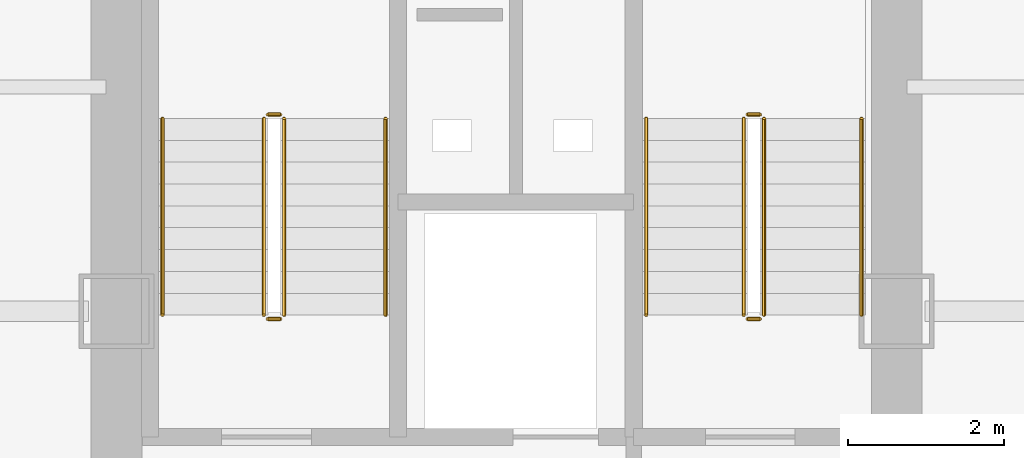
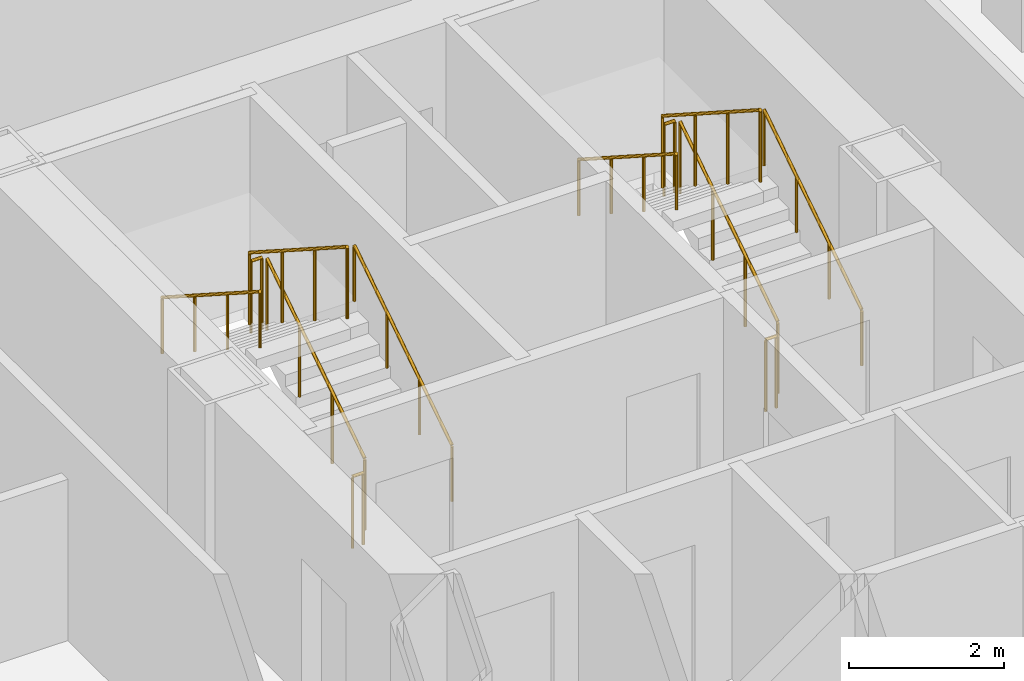
# One storey, part 20 of 21: 12 railings.
"""IFC4 building model written with IfcOpenShell, lengths in metres."""

from ifc_helpers import new_model, si_unit, direction, frame, origin, origin_2d, place, context, subcontext, project, spatial, circle, extrude, material, type_object, element, save


model = new_model("IFC4")

# Units and contexts
model_context = context("Model", 3, precision=1e-05, world=origin(), true_north=direction((0.0, 1.0)))
body_context = subcontext(model_context, "Body", "Model", "MODEL_VIEW")
ifc_project = project(units=[si_unit("LENGTHUNIT", "METRE"), si_unit("AREAUNIT", "SQUARE_METRE"), si_unit("VOLUMEUNIT", "CUBIC_METRE"), si_unit("PLANEANGLEUNIT", "RADIAN"), si_unit("MASSUNIT", "GRAM", prefix="KILO")], contexts=[model_context])

# Site, building, storey
site_placement = place(None, origin())
site = spatial("IfcSite", under=ifc_project, at=site_placement, CompositionType="ELEMENT")
building_placement = place(site_placement, origin())
building = spatial("IfcBuilding", under=site, at=building_placement, Name="Kolveth Station Tower", CompositionType="ELEMENT")
storey_placement = place(building_placement, frame((0.0, 0.0, 62.10009765625)))
storey = spatial("IfcBuildingStorey", under=building, at=storey_placement, Name="L16", CompositionType="ELEMENT", Elevation=62.10009765625)

# Railings
ifc_material_1 = material(Name="Painted Steel S355 balustrade", Category="steel")
railing_type_1 = type_object("IfcRailingType", Name="Guard_GR2", PredefinedType="BALUSTRADE", material=ifc_material_1)
railing_1_placement = place(storey_placement, frame((20.64990234375, 22.949951171875, 0.179931640625)))
element("IfcRailing", 1, at=railing_1_placement, inside=storey, type_object=railing_type_1, Name="L16 ST1 stair guard 1", PredefinedType="BALUSTRADE", context=body_context, shape_type="SweptSolid", body=[
    extrude(circle(Radius=0.02392578125, at=origin_2d()), frame((0.0, 0.0, 1.1259765625), z_axis=(0.0, 0.841199657755, 0.540724639528), x_axis=(-1.0, 0.0, 0.0)), (0.0, 0.0, 1.0), 2.995849609375),
    extrude(circle(Radius=0.02099609375, at=origin_2d()), origin(), (0.0, 0.0, 1.0), 1.101806640625),
    extrude(circle(Radius=0.02099609375, at=origin_2d()), frame((0.0, 0.840087890625, 0.5400390625)), (0.0, 0.0, 1.0), 1.101806640625),
    extrude(circle(Radius=0.02099609375, at=origin_2d()), frame((0.0, 1.679931640625, 1.079833984375)), (0.0, 0.0, 1.0), 1.101806640625),
    extrude(circle(Radius=0.02099609375, at=origin_2d()), frame((0.0, 2.52001953125, 1.619873046875)), (0.0, 0.0, 1.0), 1.101806640625),
])
railing_2_placement = place(storey_placement, frame((20.60009765625, 25.52001953125, 1.7998046875)))
element("IfcRailing", 2, at=railing_2_placement, inside=storey, type_object=railing_type_1, Name="L16 ST1 stair guard 2", PredefinedType="BALUSTRADE", context=body_context, shape_type="SweptSolid", body=[
    extrude(circle(Radius=0.02392578125, at=origin_2d()), frame((0.0, 0.0, 1.1259765625), z_axis=(-1.0, 0.0, 0.0), x_axis=(0.0, -1.0, 0.0)), (0.0, 0.0, 1.0), 0.16015625),
    extrude(circle(Radius=0.02099609375, at=origin_2d()), origin(), (0.0, 0.0, 1.0), 1.101806640625),
    extrude(circle(Radius=0.02099609375, at=origin_2d()), frame((-0.16015625, 0.0, 0.0)), (0.0, 0.0, 1.0), 1.101806640625),
])
railing_3_placement = place(storey_placement, frame((20.389892578125, 25.469970703125, 1.97998046875)))
element("IfcRailing", 3, at=railing_3_placement, inside=storey, type_object=railing_type_1, Name="L16 ST1 stair guard 3", PredefinedType="BALUSTRADE", context=body_context, shape_type="SweptSolid", body=[
    extrude(circle(Radius=0.02392578125, at=origin_2d()), frame((0.0, 0.0, 1.1259765625), z_axis=(0.0, -0.841199657755, 0.540724639528), x_axis=(1.0, 0.0, 0.0)), (0.0, 0.0, 1.0), 2.995849609375),
    extrude(circle(Radius=0.02099609375, at=origin_2d()), origin(), (0.0, 0.0, 1.0), 1.101806640625),
    extrude(circle(Radius=0.02099609375, at=origin_2d()), frame((0.0, -0.840087890625, 0.5400390625)), (0.0, 0.0, 1.0), 1.101806640625),
    extrude(circle(Radius=0.02099609375, at=origin_2d()), frame((0.0, -1.679931640625, 1.079833984375)), (0.0, 0.0, 1.0), 1.101806640625),
    extrude(circle(Radius=0.02099609375, at=origin_2d()), frame((0.0, -2.52001953125, 1.619873046875)), (0.0, 0.0, 1.0), 1.101806640625),
])
railing_4_placement = place(storey_placement, frame((20.60009765625, 22.89990234375, 0.0)))
element("IfcRailing", 4, at=railing_4_placement, inside=storey, type_object=railing_type_1, Name="L16 ST1 stair guard 4", PredefinedType="BALUSTRADE", context=body_context, shape_type="SweptSolid", body=[
    extrude(circle(Radius=0.02392578125, at=origin_2d()), frame((0.0, 0.0, 1.1259765625), z_axis=(-1.0, 0.0, 0.0), x_axis=(0.0, -1.0, 0.0)), (0.0, 0.0, 1.0), 0.16015625),
    extrude(circle(Radius=0.02099609375, at=origin_2d()), origin(), (0.0, 0.0, 1.0), 1.101806640625),
    extrude(circle(Radius=0.02099609375, at=origin_2d()), frame((-0.16015625, 0.0, 0.0)), (0.0, 0.0, 1.0), 1.101806640625),
])
railing_5_placement = place(storey_placement, frame((26.800048828125, 22.949951171875, 0.179931640625)))
element("IfcRailing", 5, at=railing_5_placement, inside=storey, type_object=railing_type_1, Name="L16 ST2 stair guard 1", PredefinedType="BALUSTRADE", context=body_context, shape_type="SweptSolid", body=[
    extrude(circle(Radius=0.02392578125, at=origin_2d()), frame((0.0, 0.0, 1.1259765625), z_axis=(0.0, 0.841199657755, 0.540724639528), x_axis=(-1.0, 0.0, 0.0)), (0.0, 0.0, 1.0), 2.995849609375),
    extrude(circle(Radius=0.02099609375, at=origin_2d()), origin(), (0.0, 0.0, 1.0), 1.101806640625),
    extrude(circle(Radius=0.02099609375, at=origin_2d()), frame((0.0, 0.840087890625, 0.5400390625)), (0.0, 0.0, 1.0), 1.101806640625),
    extrude(circle(Radius=0.02099609375, at=origin_2d()), frame((0.0, 1.679931640625, 1.079833984375)), (0.0, 0.0, 1.0), 1.101806640625),
    extrude(circle(Radius=0.02099609375, at=origin_2d()), frame((0.0, 2.52001953125, 1.619873046875)), (0.0, 0.0, 1.0), 1.101806640625),
])
railing_6_placement = place(storey_placement, frame((26.75, 25.52001953125, 1.7998046875)))
element("IfcRailing", 6, at=railing_6_placement, inside=storey, type_object=railing_type_1, Name="L16 ST2 stair guard 2", PredefinedType="BALUSTRADE", context=body_context, shape_type="SweptSolid", body=[
    extrude(circle(Radius=0.02392578125, at=origin_2d()), frame((0.0, 0.0, 1.1259765625), z_axis=(-1.0, 0.0, 0.0), x_axis=(0.0, -1.0, 0.0)), (0.0, 0.0, 1.0), 0.159912109375),
    extrude(circle(Radius=0.02099609375, at=origin_2d()), origin(), (0.0, 0.0, 1.0), 1.101806640625),
    extrude(circle(Radius=0.02099609375, at=origin_2d()), frame((-0.159912109375, 0.0, 0.0)), (0.0, 0.0, 1.0), 1.101806640625),
])
railing_7_placement = place(storey_placement, frame((26.5400390625, 25.469970703125, 1.97998046875)))
element("IfcRailing", 7, at=railing_7_placement, inside=storey, type_object=railing_type_1, Name="L16 ST2 stair guard 3", PredefinedType="BALUSTRADE", context=body_context, shape_type="SweptSolid", body=[
    extrude(circle(Radius=0.02392578125, at=origin_2d()), frame((0.0, 0.0, 1.1259765625), z_axis=(0.0, -0.841199657755, 0.540724639528), x_axis=(1.0, 0.0, 0.0)), (0.0, 0.0, 1.0), 2.995849609375),
    extrude(circle(Radius=0.02099609375, at=origin_2d()), origin(), (0.0, 0.0, 1.0), 1.101806640625),
    extrude(circle(Radius=0.02099609375, at=origin_2d()), frame((0.0, -0.840087890625, 0.5400390625)), (0.0, 0.0, 1.0), 1.101806640625),
    extrude(circle(Radius=0.02099609375, at=origin_2d()), frame((0.0, -1.679931640625, 1.079833984375)), (0.0, 0.0, 1.0), 1.101806640625),
    extrude(circle(Radius=0.02099609375, at=origin_2d()), frame((0.0, -2.52001953125, 1.619873046875)), (0.0, 0.0, 1.0), 1.101806640625),
])
railing_8_placement = place(storey_placement, frame((26.75, 22.89990234375, 0.0)))
element("IfcRailing", 8, at=railing_8_placement, inside=storey, type_object=railing_type_1, Name="L16 ST2 stair guard 4", PredefinedType="BALUSTRADE", context=body_context, shape_type="SweptSolid", body=[
    extrude(circle(Radius=0.02392578125, at=origin_2d()), frame((0.0, 0.0, 1.1259765625), z_axis=(-1.0, 0.0, 0.0), x_axis=(0.0, -1.0, 0.0)), (0.0, 0.0, 1.0), 0.159912109375),
    extrude(circle(Radius=0.02099609375, at=origin_2d()), origin(), (0.0, 0.0, 1.0), 1.101806640625),
    extrude(circle(Radius=0.02099609375, at=origin_2d()), frame((-0.159912109375, 0.0, 0.0)), (0.0, 0.0, 1.0), 1.101806640625),
])
ifc_material_2 = material(Name="Brushed stainless steel", Category="steel")
railing_type_2 = type_object("IfcRailingType", Name="Handrail_HR1", PredefinedType="HANDRAIL", material=ifc_material_2)
railing_9_placement = place(storey_placement, frame((21.949951171875, 22.949951171875, 0.179931640625)))
element("IfcRailing", 9, at=railing_9_placement, inside=storey, type_object=railing_type_2, Name="L16 ST1 stair handrail 1", PredefinedType="HANDRAIL", context=body_context, shape_type="SweptSolid", body=[
    extrude(circle(Radius=0.02392578125, at=origin_2d()), frame((0.0, 0.0, 0.8759765625), z_axis=(0.0, 0.841199657755, 0.540724639528), x_axis=(-1.0, 0.0, 0.0)), (0.0, 0.0, 1.0), 2.995849609375),
    extrude(circle(Radius=0.02099609375, at=origin_2d()), origin(), (0.0, 0.0, 1.0), 0.851806640625),
    extrude(circle(Radius=0.02099609375, at=origin_2d()), frame((0.0, 0.840087890625, 0.5400390625)), (0.0, 0.0, 1.0), 0.851806640625),
    extrude(circle(Radius=0.02099609375, at=origin_2d()), frame((0.0, 1.679931640625, 1.079833984375)), (0.0, 0.0, 1.0), 0.851806640625),
    extrude(circle(Radius=0.02099609375, at=origin_2d()), frame((0.0, 2.52001953125, 1.619873046875)), (0.0, 0.0, 1.0), 0.851806640625),
])
railing_10_placement = place(storey_placement, frame((19.090087890625, 25.469970703125, 1.97998046875)))
element("IfcRailing", 10, at=railing_10_placement, inside=storey, type_object=railing_type_2, Name="L16 ST1 stair handrail 2", PredefinedType="HANDRAIL", context=body_context, shape_type="SweptSolid", body=[
    extrude(circle(Radius=0.02392578125, at=origin_2d()), frame((0.0, 0.0, 0.8759765625), z_axis=(0.0, -0.841199657755, 0.540724639528), x_axis=(1.0, 0.0, 0.0)), (0.0, 0.0, 1.0), 2.995849609375),
    extrude(circle(Radius=0.02099609375, at=origin_2d()), origin(), (0.0, 0.0, 1.0), 0.851806640625),
    extrude(circle(Radius=0.02099609375, at=origin_2d()), frame((0.0, -0.840087890625, 0.5400390625)), (0.0, 0.0, 1.0), 0.851806640625),
    extrude(circle(Radius=0.02099609375, at=origin_2d()), frame((0.0, -1.679931640625, 1.079833984375)), (0.0, 0.0, 1.0), 0.851806640625),
    extrude(circle(Radius=0.02099609375, at=origin_2d()), frame((0.0, -2.52001953125, 1.619873046875)), (0.0, 0.0, 1.0), 0.851806640625),
])
railing_11_placement = place(storey_placement, frame((28.050048828125, 22.949951171875, 0.179931640625)))
element("IfcRailing", 11, at=railing_11_placement, inside=storey, type_object=railing_type_2, Name="L16 ST2 stair handrail 1", PredefinedType="HANDRAIL", context=body_context, shape_type="SweptSolid", body=[
    extrude(circle(Radius=0.02392578125, at=origin_2d()), frame((0.0, 0.0, 0.8759765625), z_axis=(0.0, 0.841199657755, 0.540724639528), x_axis=(-1.0, 0.0, 0.0)), (0.0, 0.0, 1.0), 2.995849609375),
    extrude(circle(Radius=0.02099609375, at=origin_2d()), origin(), (0.0, 0.0, 1.0), 0.851806640625),
    extrude(circle(Radius=0.02099609375, at=origin_2d()), frame((0.0, 0.840087890625, 0.5400390625)), (0.0, 0.0, 1.0), 0.851806640625),
    extrude(circle(Radius=0.02099609375, at=origin_2d()), frame((0.0, 1.679931640625, 1.079833984375)), (0.0, 0.0, 1.0), 0.851806640625),
    extrude(circle(Radius=0.02099609375, at=origin_2d()), frame((0.0, 2.52001953125, 1.619873046875)), (0.0, 0.0, 1.0), 0.851806640625),
])
railing_12_placement = place(storey_placement, frame((25.2900390625, 25.469970703125, 1.97998046875)))
element("IfcRailing", 12, at=railing_12_placement, inside=storey, type_object=railing_type_2, Name="L16 ST2 stair handrail 2", PredefinedType="HANDRAIL", context=body_context, shape_type="SweptSolid", body=[
    extrude(circle(Radius=0.02392578125, at=origin_2d()), frame((0.0, 0.0, 0.8759765625), z_axis=(0.0, -0.841199657755, 0.540724639528), x_axis=(1.0, 0.0, 0.0)), (0.0, 0.0, 1.0), 2.995849609375),
    extrude(circle(Radius=0.02099609375, at=origin_2d()), origin(), (0.0, 0.0, 1.0), 0.851806640625),
    extrude(circle(Radius=0.02099609375, at=origin_2d()), frame((0.0, -0.840087890625, 0.5400390625)), (0.0, 0.0, 1.0), 0.851806640625),
    extrude(circle(Radius=0.02099609375, at=origin_2d()), frame((0.0, -1.679931640625, 1.079833984375)), (0.0, 0.0, 1.0), 0.851806640625),
    extrude(circle(Radius=0.02099609375, at=origin_2d()), frame((0.0, -2.52001953125, 1.619873046875)), (0.0, 0.0, 1.0), 0.851806640625),
])

save(model, "model.ifc")
